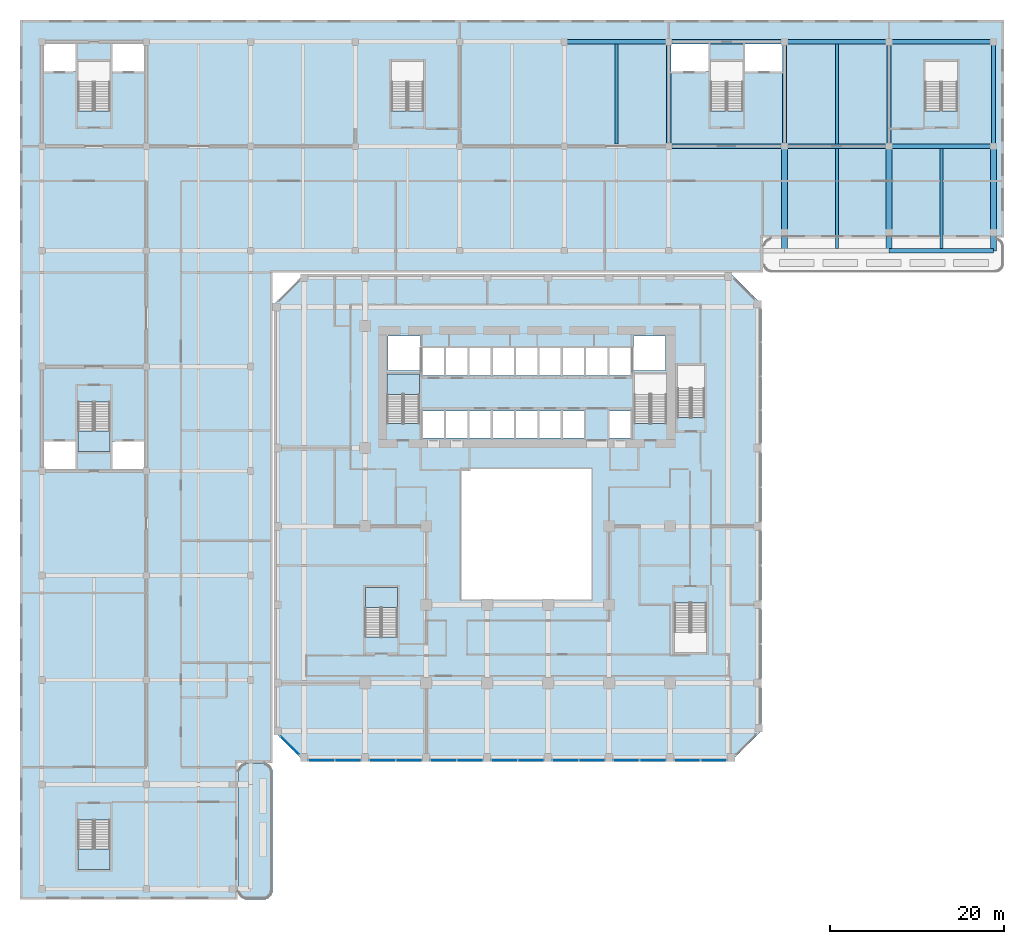
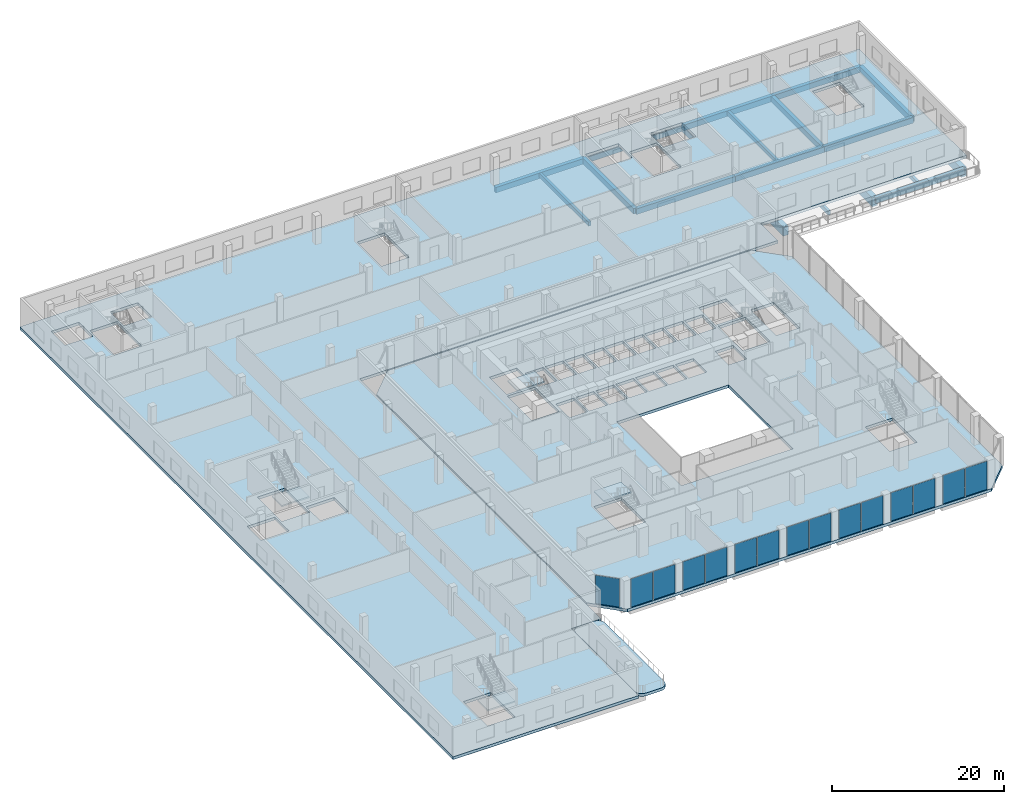
# One storey, part 11 of 35: 19 beams, 15 plates, 7 slabs, 19 elements without a shape of their own.
"""IFC4 building model written with IfcOpenShell, lengths in metres."""

import ifcopenshell
import ifcopenshell.guid

model = None  # the IFC model being written
_history = None  # IfcOwnerHistory: only IFC2X3 demands one
_inside = {}  # id of a spatial element -> (the spatial element, [elements in it])
_under = {}  # id of a project, library or spatial element -> (it, [spatial elements below it])
_declared = {}  # id of a project -> (the project, [libraries it declares])
_typed = {}  # id of a type object -> (the type object, [elements of that type])
_made_of = {}  # id of a material, layer set ... -> (it, [elements and type objects made of it])


def new_model(schema):
    """Start an empty IFC model of exactly this schema.

    Asked for "IFC4X3", IfcOpenShell would pick the latest addendum, in which some entities
    have other attributes; the version numbers below select the first issue.
    IFC2X3 requires an IfcOwnerHistory on every rooted entity: one is made here for all.
    """
    global model, _history
    if schema == "IFC4X3":
        model = ifcopenshell.file(schema_version=(4, 3, 0, 0))
    else:
        model = ifcopenshell.file(schema=schema)
    _inside.clear()
    _under.clear()
    _declared.clear()
    _typed.clear()
    _made_of.clear()
    _history = None
    if model.schema == "IFC2X3":
        org = make("IfcOrganization", Name="unknown")
        user = make(
            "IfcPersonAndOrganization",
            ThePerson=make("IfcPerson", FamilyName="unknown"),
            TheOrganization=org,
        )
        app = make(
            "IfcApplication",
            ApplicationDeveloper=org,
            Version="unknown",
            ApplicationFullName="unknown",
            ApplicationIdentifier="unknown",
        )
        _history = make(
            "IfcOwnerHistory",
            OwningUser=user,
            OwningApplication=app,
            ChangeAction="ADDED",
            CreationDate=0,
        )
    return model


def make(cls, **values):
    """One entity of the class cls with the attributes given. An attribute that is None is left unset."""
    return model.create_entity(
        cls, **{name: value for name, value in values.items() if value is not None}
    )


def rooted(cls, **values):
    """An entity with a GlobalId (a new one), such as an element, a storey or a relation."""
    return make(cls, GlobalId=ifcopenshell.guid.new(), OwnerHistory=_history, **values)


def si_unit(unit_type, name, prefix=None):
    """IfcSIUnit, for example si_unit("LENGTHUNIT", "METRE", prefix="MILLI")."""
    return make("IfcSIUnit", UnitType=unit_type, Prefix=prefix, Name=name)


def assignment(units):
    """IfcUnitAssignment: the units of a project."""
    return None if units is None else make("IfcUnitAssignment", Units=units)


def point(xyz):
    """IfcCartesianPoint."""
    return None if xyz is None else make("IfcCartesianPoint", Coordinates=xyz)


def direction(xyz):
    """IfcDirection."""
    return None if xyz is None else make("IfcDirection", DirectionRatios=xyz)


def frame(location, z_axis=None, x_axis=None):
    """IfcAxis2Placement3D, a coordinate frame: its origin and axes. An axis left out is left unset."""
    return make(
        "IfcAxis2Placement3D",
        Location=point(location),
        Axis=direction(z_axis),
        RefDirection=direction(x_axis),
    )


def frame_2d(location, x_axis=None):
    """IfcAxis2Placement2D, a coordinate frame in the plane: its origin and x axis."""
    return make(
        "IfcAxis2Placement2D", Location=point(location), RefDirection=direction(x_axis)
    )


def origin():
    """The frame at (0, 0, 0) with its axes left unset."""
    return frame((0.0, 0.0, 0.0))


def origin_2d():
    """The frame at (0, 0) in the plane with its x axis left unset."""
    return frame_2d((0.0, 0.0))


def place(relative_to, where):
    """IfcLocalPlacement: puts the frame where relative to a parent placement (None: the world)."""
    return make(
        "IfcLocalPlacement", PlacementRelTo=relative_to, RelativePlacement=where
    )


def context(
    kind, dimensions, precision=None, world=None, true_north=None, identifier=None
):
    """IfcGeometricRepresentationContext, for example the 3D "Model" context."""
    return make(
        "IfcGeometricRepresentationContext",
        ContextIdentifier=identifier,
        ContextType=kind,
        CoordinateSpaceDimension=dimensions,
        Precision=precision,
        WorldCoordinateSystem=world,
        TrueNorth=true_north,
    )


def subcontext(parent, identifier, kind, view, scale=None):
    """IfcGeometricRepresentationSubContext, for example "Body" below "Model"."""
    return make(
        "IfcGeometricRepresentationSubContext",
        ContextIdentifier=identifier,
        ContextType=kind,
        ParentContext=parent,
        TargetScale=scale,
        TargetView=view,
    )


def project(units=None, contexts=None):
    """IfcProject with its units and contexts."""
    return rooted(
        "IfcProject",
        Name="project",
        RepresentationContexts=contexts,
        UnitsInContext=assignment(units),
    )


def spatial(cls, under=None, at=None, **own):
    """A site, building, storey or space (cls), placed at a placement, below another one or the project."""
    s = rooted(cls, ObjectPlacement=at, **own)
    if under is not None:
        _under.setdefault(under.id(), (under, []))[1].append(s)
    return s


def polyline(points):
    """IfcPolyline through the points."""
    return make("IfcPolyline", Points=[point(p) for p in points])


def profile(cls, at=None, kind="AREA", **sizes):
    """A parametric profile (cls). Its sizes go by their IFC names, for example OverallWidth=200.0."""
    return make(cls, ProfileType=kind, Position=at, **sizes)


def rectangle(**sizes):
    """IfcRectangleProfileDef."""
    return profile("IfcRectangleProfileDef", **sizes)


def outline(outer, holes=None, kind="AREA"):
    """IfcArbitraryClosedProfileDef: a profile drawn as a closed curve; with holes, ...WithVoids."""
    if holes is None:
        return make("IfcArbitraryClosedProfileDef", ProfileType=kind, OuterCurve=outer)
    return make(
        "IfcArbitraryProfileDefWithVoids",
        ProfileType=kind,
        OuterCurve=outer,
        InnerCurves=holes,
    )


def extrude(swept, where, along, depth):
    """IfcExtrudedAreaSolid: the profile swept, set in the frame where, extruded along a direction by depth."""
    return make(
        "IfcExtrudedAreaSolid",
        SweptArea=swept,
        Position=where,
        ExtrudedDirection=direction(along),
        Depth=depth,
    )


def shape(context_of_items, identifier, shape_type, items):
    """IfcShapeRepresentation: the items that make up one representation, for example the "Body"."""
    return make(
        "IfcShapeRepresentation",
        ContextOfItems=context_of_items,
        RepresentationIdentifier=identifier,
        RepresentationType=shape_type,
        Items=items,
    )


def source(mapping_origin, context_of_items, identifier, shape_type, items):
    """IfcRepresentationMap: a shape defined once, which mapped items show again and again."""
    return make(
        "IfcRepresentationMap",
        MappingOrigin=mapping_origin,
        MappedRepresentation=shape(context_of_items, identifier, shape_type, items),
    )


def transform(
    local_origin,
    x_axis=None,
    y_axis=None,
    z_axis=None,
    scale=None,
    scale2=None,
    scale3=None,
    uniform=True,
):
    """IfcCartesianTransformationOperator3D, or its non-uniform kind. x_axis, y_axis, z_axis: its Axis1, 2, 3."""
    if uniform:
        return make(
            "IfcCartesianTransformationOperator3D",
            Axis1=direction(x_axis),
            Axis2=direction(y_axis),
            LocalOrigin=point(local_origin),
            Scale=scale,
            Axis3=direction(z_axis),
        )
    return make(
        "IfcCartesianTransformationOperator3DnonUniform",
        Axis1=direction(x_axis),
        Axis2=direction(y_axis),
        LocalOrigin=point(local_origin),
        Scale=scale,
        Axis3=direction(z_axis),
        Scale2=scale2,
        Scale3=scale3,
    )


def mapped(mapping_source, mapping_target):
    """IfcMappedItem: shows the shape of a source again, moved by a transform."""
    return make(
        "IfcMappedItem", MappingSource=mapping_source, MappingTarget=mapping_target
    )


def material(Name=None, Category=None):
    """IfcMaterial."""
    return make("IfcMaterial", Name=Name, Category=Category)


def layer(
    of_material, thickness, ventilated=None, Name=None, Category=None, Priority=None
):
    """IfcMaterialLayer: one layer of a wall or slab, of a material (None: an air gap)."""
    return make(
        "IfcMaterialLayer",
        Material=of_material,
        LayerThickness=thickness,
        IsVentilated=ventilated,
        Name=Name,
        Category=Category,
        Priority=Priority,
    )


def layer_set(layers, Name=None):
    """IfcMaterialLayerSet."""
    return make("IfcMaterialLayerSet", MaterialLayers=layers, LayerSetName=Name)


def material_profile(
    of_material, cross_section, Name=None, Category=None, Priority=None
):
    """IfcMaterialProfile: a cross section and its material."""
    return make(
        "IfcMaterialProfile",
        Name=Name,
        Material=of_material,
        Profile=cross_section,
        Priority=Priority,
        Category=Category,
    )


def profile_set(profiles, Name=None, composite=None):
    """IfcMaterialProfileSet."""
    return make(
        "IfcMaterialProfileSet",
        Name=Name,
        MaterialProfiles=profiles,
        CompositeProfile=composite,
    )


def made_of(thing, what):
    """Note that an element or type object is made of a material, layer set ...; save() writes the relation."""
    if what is not None:
        _made_of.setdefault(what.id(), (what, []))[1].append(thing)
    return thing


def type_object(cls, material=None, **own):
    """A type object (cls), such as IfcWallType, which elements share."""
    return made_of(rooted(cls, **own), material)


def element(
    cls,
    number,
    at=None,
    inside=None,
    cuts=None,
    type_object=None,
    material=None,
    context=None,
    identifier="Body",
    shape_type=None,
    held_by="IfcProductDefinitionShape",
    body=None,
    shapes=None,
    **own,
):
    """One element of the class cls, such as IfcWall. Its Tag is "e" and its number.

    at: its placement. inside: the storey or other place that contains it. cuts: it is an
    opening in that element (IfcRelVoidsElement). A single representation is given by context,
    identifier, shape_type and body (its items); several are given by shapes. held_by: the class
    of the entity that holds the representations. save() writes the other relations.
    """
    e = rooted(cls, Tag="e%d" % number, ObjectPlacement=at, **own)
    if body is not None:
        shapes = [shape(context, identifier, shape_type, body)]
    if shapes is not None:
        e.Representation = make(held_by, Representations=shapes)
    if inside is not None:
        _inside.setdefault(inside.id(), (inside, []))[1].append(e)
    if cuts is not None:
        rooted(
            "IfcRelVoidsElement", RelatingBuildingElement=cuts, RelatedOpeningElement=e
        )
    if type_object is not None:
        _typed.setdefault(type_object.id(), (type_object, []))[1].append(e)
    return made_of(e, material)


def aggregate(whole, parts):
    """IfcRelAggregates: a whole, such as a stair, and the parts it consists of."""
    return rooted("IfcRelAggregates", RelatingObject=whole, RelatedObjects=parts)


def save(model, path):
    """Write the relations noted so far, then the file.

    IfcRelAggregates (storeys below a building ...), IfcRelContainedInSpatialStructure (elements
    in a storey), IfcRelDefinesByType, IfcRelAssociatesMaterial and IfcRelDeclares: one each for
    every whole, place, type object, material and project.
    """
    for whole, parts in _under.values():
        aggregate(whole, parts)
    for where, things in _inside.values():
        rooted(
            "IfcRelContainedInSpatialStructure",
            RelatedElements=things,
            RelatingStructure=where,
        )
    for kind, things in _typed.values():
        rooted("IfcRelDefinesByType", RelatedObjects=things, RelatingType=kind)
    for what, things in _made_of.values():
        rooted("IfcRelAssociatesMaterial", RelatedObjects=things, RelatingMaterial=what)
    for by, libraries in _declared.values():
        rooted("IfcRelDeclares", RelatingContext=by, RelatedDefinitions=libraries)
    model.write(path)


model = new_model("IFC4")

# Units and contexts
model_context = context("Model", 3, precision=1e-05, world=origin(), true_north=direction((0.0, 1.0)))
body_context = subcontext(model_context, "Body", "Model", "MODEL_VIEW")
ifc_project = project(units=[si_unit("LENGTHUNIT", "METRE"), si_unit("AREAUNIT", "SQUARE_METRE"), si_unit("VOLUMEUNIT", "CUBIC_METRE"), si_unit("PLANEANGLEUNIT", "RADIAN"), si_unit("MASSUNIT", "GRAM", prefix="KILO")], contexts=[model_context])

# Site, building, storey
site_placement = place(None, origin())
site = spatial("IfcSite", under=ifc_project, at=site_placement, CompositionType="ELEMENT")
building_placement = place(site_placement, origin())
building = spatial("IfcBuilding", under=site, at=building_placement, Name="Kilnfold Tower and Market Hall", CompositionType="ELEMENT")
storey_placement = place(building_placement, frame((0.0, 0.0, 13.5)))
storey = spatial("IfcBuildingStorey", under=building, at=storey_placement, Name="L02", CompositionType="ELEMENT", Elevation=13.5)

# Beams
ifc_material_1 = material(Name="Concrete C40/50", Category="concrete")
ifc_material_profile_1 = material_profile(ifc_material_1, rectangle(XDim=0.5, YDim=0.800048828125, at=origin_2d()), Name="RC 500x800")
ifc_profile_set_1 = profile_set([ifc_material_profile_1], Name="Concrete C40/50")
beam_type_1 = type_object("IfcBeamType", Name="HALL GIRDER 500X800", PredefinedType="BEAM", material=ifc_profile_set_1)
for number, where, z_axis, x_axis, name in (
    (1, (5.35009765625, 54.64990234375, -0.800048828125), (1.0, 0.0, 0.0), (0.0, 1.0, 0.0), "Beam MG2.58"),
    (2, (17.35009765625, 42.64990234375, -0.800048828125), (0.0, 1.0, 0.0), (-1.0, 0.0, 0.0), "Beam MG2.61"),
):
    element("IfcBeam", number, at=place(storey_placement, frame(where, z_axis=z_axis, x_axis=x_axis)), inside=storey, type_object=beam_type_1, Name=name, PredefinedType="BEAM", context=body_context, shape_type="SweptSolid", body=[
        extrude(rectangle(XDim=0.5, YDim=0.800048828125, at=origin_2d()), origin(), (0.0, 0.0, 1.0), 12.0),
    ])
for number, where, z_axis, x_axis, name in (
    (3, (17.35009765625, 42.64990234375, -0.800048828125), (1.0, 0.0, 0.0), (0.0, 1.0, 0.0), "Beam MG2.62"),
    (4, (17.35009765625, 54.64990234375, -0.800048828125), (1.0, 0.0, 0.0), (0.0, 1.0, 0.0), "Beam MG2.63"),
):
    element("IfcBeam", number, at=place(storey_placement, frame(where, z_axis=z_axis, x_axis=x_axis)), inside=storey, type_object=beam_type_1, Name=name, PredefinedType="BEAM", context=body_context, shape_type="SweptSolid", body=[
        extrude(rectangle(XDim=0.5, YDim=0.800048828125, at=origin_2d()), origin(), (0.0, 0.0, 1.0), 13.2998046875),
    ])
for number, where, z_axis, x_axis, name in (
    (5, (30.64990234375, 42.64990234375, -0.800048828125), (0.0, 1.0, 0.0), (-1.0, 0.0, 0.0), "Beam MG2.65"),
    (6, (30.64990234375, 42.64990234375, -0.800048828125), (1.0, 0.0, 0.0), (0.0, 1.0, 0.0), "Beam MG2.66"),
    (7, (30.64990234375, 54.64990234375, -0.800048828125), (1.0, 0.0, 0.0), (0.0, 1.0, 0.0), "Beam MG2.67"),
    (8, (42.64990234375, 30.64990234375, -0.800048828125), (1.0, 0.0, 0.0), (0.0, 1.0, 0.0), "Beam MG2.68"),
    (9, (42.64990234375, 42.64990234375, -0.800048828125), (0.0, 1.0, 0.0), (-1.0, 0.0, 0.0), "Beam MG2.69"),
    (10, (42.64990234375, 42.64990234375, -0.800048828125), (1.0, 0.0, 0.0), (0.0, 1.0, 0.0), "Beam MG2.70"),
    (11, (42.64990234375, 54.64990234375, -0.800048828125), (1.0, 0.0, 0.0), (0.0, 1.0, 0.0), "Beam MG2.71"),
    (12, (54.64990234375, 42.64990234375, -0.800048828125), (0.0, 1.0, 0.0), (-1.0, 0.0, 0.0), "Beam MG2.72"),
):
    element("IfcBeam", number, at=place(storey_placement, frame(where, z_axis=z_axis, x_axis=x_axis)), inside=storey, type_object=beam_type_1, Name=name, PredefinedType="BEAM", context=body_context, shape_type="SweptSolid", body=[
        extrude(rectangle(XDim=0.5, YDim=0.800048828125, at=origin_2d()), origin(), (0.0, 0.0, 1.0), 12.0),
    ])
ifc_material_2 = material(Name="Concrete C40/50", Category="concrete")
ifc_material_profile_2 = material_profile(ifc_material_2, rectangle(XDim=0.35009765625, YDim=0.60009765625, at=origin_2d()), Name="RC 350x600")
ifc_profile_set_2 = profile_set([ifc_material_profile_2], Name="Concrete C40/50")
beam_type_2 = type_object("IfcBeamType", Name="HALL JOIST 350X600", PredefinedType="BEAM", material=ifc_profile_set_2)
for number, where, z_axis, x_axis, name in (
    (13, (11.35009765625, 42.89990234375, -0.699951171875), (0.0, 1.0, 0.0), (-1.0, 0.0, 0.0), "Beam MJ1.17"),
    (14, (36.64990234375, 30.89990234375, -0.699951171875), (0.0, 1.0, 0.0), (-1.0, 0.0, 0.0), "Beam MJ1.18"),
    (15, (36.64990234375, 42.89990234375, -0.699951171875), (0.0, 1.0, 0.0), (-1.0, 0.0, 0.0), "Beam MJ1.19"),
    (16, (48.64990234375, 30.89990234375, -0.699951171875), (0.0, 1.0, 0.0), (-1.0, 0.0, 0.0), "Beam MJ1.20"),
):
    element("IfcBeam", number, at=place(storey_placement, frame(where, z_axis=z_axis, x_axis=x_axis)), inside=storey, type_object=beam_type_2, Name=name, PredefinedType="BEAM", context=body_context, shape_type="SweptSolid", body=[
        extrude(rectangle(XDim=0.35009765625, YDim=0.60009765625, at=origin_2d()), origin(), (0.0, 0.0, 1.0), 11.5),
    ])
ifc_material_3 = material(Name="Concrete C45/55", Category="concrete")
ifc_material_profile_3 = material_profile(ifc_material_3, rectangle(XDim=0.699951171875, YDim=1.300048828125, at=origin_2d()), Name="RC 700x1300")
ifc_profile_set_3 = profile_set([ifc_material_profile_3], Name="Concrete C45/55")
beam_type_3 = type_object("IfcBeamType", Name="HALL TRANSFER 700X1300", PredefinedType="BEAM", material=ifc_profile_set_3)
for number, where, z_axis, x_axis, name in (
    (17, (30.64990234375, 30.64990234375, -1.050048828125), (0.0, 1.0, 0.0), (-1.0, 0.0, 0.0), "Beam MT1.3"),
    (18, (42.64990234375, 30.64990234375, -1.050048828125), (0.0, 1.0, 0.0), (-1.0, 0.0, 0.0), "Beam MT1.4"),
    (19, (54.64990234375, 30.64990234375, -1.050048828125), (0.0, 1.0, 0.0), (-1.0, 0.0, 0.0), "Beam MT1.5"),
):
    element("IfcBeam", number, at=place(storey_placement, frame(where, z_axis=z_axis, x_axis=x_axis)), inside=storey, type_object=beam_type_3, Name=name, PredefinedType="BEAM", context=body_context, shape_type="SweptSolid", body=[
        extrude(rectangle(XDim=0.699951171875, YDim=1.300048828125, at=origin_2d()), origin(), (0.0, 0.0, 1.0), 12.0),
    ])

# Slabs
ifc_material_4 = material(Name="Concrete C45", Category="concrete")
ifc_layer_1 = layer(ifc_material_4, 0.39990234375)
ifc_layer_set_1 = layer_set([ifc_layer_1], Name="Concrete C45")
slab_type_1 = type_object("IfcSlabType", Name="FLOOR SLAB 400", PredefinedType="FLOOR", material=ifc_layer_set_1)
shared_shape_1 = source(origin(), body_context, "Body", "SweptSolid", [
    extrude(outline(polyline([(-24.5, -28.0), (24.5, -28.0), (28.0, -24.5), (28.0, 24.5), (24.5, 28.0), (-24.5, 28.0), (-28.0, 24.5), (-28.0, -24.5), (-24.5, -28.0)]), holes=[polyline([(-17.49951171875, -13.699462890625), (-17.49951171875, -8.00048828125), (-13.800537109375, -8.00048828125), (-13.800537109375, -13.699462890625), (-17.49951171875, -13.699462890625)]), polyline([(-14.99951171875, 10.800537109375), (-14.99951171875, 16.49951171875), (-11.300537109375, 16.49951171875), (-11.300537109375, 10.800537109375), (-14.99951171875, 10.800537109375)]), polyline([(-14.875, 16.875), (-14.875, 20.875), (-11.175048828125, 20.875), (-11.175048828125, 16.875), (-14.875, 16.875)]), polyline([(-10.885009765625, 9.125), (-10.885009765625, 12.27490234375), (-8.455078125, 12.27490234375), (-8.455078125, 9.125), (-10.885009765625, 9.125)]), polyline([(-10.885009765625, 16.324951171875), (-10.885009765625, 19.47509765625), (-8.455078125, 19.47509765625), (-8.455078125, 16.324951171875), (-10.885009765625, 16.324951171875)]), polyline([(-8.205078125, 9.125), (-8.205078125, 12.27490234375), (-5.77490234375, 12.27490234375), (-5.77490234375, 9.125), (-8.205078125, 9.125)]), polyline([(-8.205078125, 16.324951171875), (-8.205078125, 19.47509765625), (-5.77490234375, 19.47509765625), (-5.77490234375, 16.324951171875), (-8.205078125, 16.324951171875)]), polyline([(-6.5, -9.39990234375), (-6.5, 5.60009765625), (8.5, 5.60009765625), (8.5, -9.39990234375), (-6.5, -9.39990234375)]), polyline([(-5.52490234375, 9.125), (-5.52490234375, 12.27490234375), (-3.094970703125, 12.27490234375), (-3.094970703125, 9.125), (-5.52490234375, 9.125)]), polyline([(-5.52490234375, 16.324951171875), (-5.52490234375, 19.47509765625), (-3.094970703125, 19.47509765625), (-3.094970703125, 16.324951171875), (-5.52490234375, 16.324951171875)]), polyline([(-2.844970703125, 9.125), (-2.844970703125, 12.27490234375), (-0.4150390625, 12.27490234375), (-0.4150390625, 9.125), (-2.844970703125, 9.125)]), polyline([(-2.844970703125, 16.324951171875), (-2.844970703125, 19.47509765625), (-0.4150390625, 19.47509765625), (-0.4150390625, 16.324951171875), (-2.844970703125, 16.324951171875)]), polyline([(-0.1650390625, 9.125), (-0.1650390625, 12.27490234375), (2.264892578125, 12.27490234375), (2.264892578125, 9.125), (-0.1650390625, 9.125)]), polyline([(-0.1650390625, 16.324951171875), (-0.1650390625, 19.47509765625), (2.264892578125, 19.47509765625), (2.264892578125, 16.324951171875), (-0.1650390625, 16.324951171875)]), polyline([(2.514892578125, 9.125), (2.514892578125, 12.27490234375), (4.945068359375, 12.27490234375), (4.945068359375, 9.125), (2.514892578125, 9.125)]), polyline([(2.514892578125, 16.324951171875), (2.514892578125, 19.47509765625), (4.945068359375, 19.47509765625), (4.945068359375, 16.324951171875), (2.514892578125, 16.324951171875)]), polyline([(5.195068359375, 9.125), (5.195068359375, 12.27490234375), (7.625, 12.27490234375), (7.625, 9.125), (5.195068359375, 9.125)]), polyline([(5.195068359375, 16.324951171875), (5.195068359375, 19.47509765625), (7.625, 19.47509765625), (7.625, 16.324951171875), (5.195068359375, 16.324951171875)]), polyline([(7.875, 16.324951171875), (7.875, 19.47509765625), (10.304931640625, 19.47509765625), (10.304931640625, 16.324951171875), (7.875, 16.324951171875)]), polyline([(10.554931640625, 9.125), (10.554931640625, 12.27490234375), (12.985107421875, 12.27490234375), (12.985107421875, 9.125), (10.554931640625, 9.125)]), polyline([(10.554931640625, 16.324951171875), (10.554931640625, 19.47509765625), (12.985107421875, 19.47509765625), (12.985107421875, 16.324951171875), (10.554931640625, 16.324951171875)]), polyline([(13.27490234375, 16.875), (13.27490234375, 20.875), (16.97509765625, 20.875), (16.97509765625, 16.875), (13.27490234375, 16.875)]), polyline([(13.400390625, 10.800537109375), (13.400390625, 16.49951171875), (17.099609375, 16.49951171875), (17.099609375, 10.800537109375), (13.400390625, 10.800537109375)]), polyline([(21.699462890625, -9.800537109375), (21.699462890625, -15.49951171875), (18.00048828125, -15.49951171875), (18.00048828125, -9.800537109375), (21.699462890625, -9.800537109375)]), polyline([(18.3505859375, 11.50048828125), (18.3505859375, 17.49951171875), (21.449462890625, 17.49951171875), (21.449462890625, 11.50048828125), (18.3505859375, 11.50048828125)])]), origin(), (0.0, 0.0, 1.0), 0.400146484375),
])
slab_1_placement = place(storey_placement, frame((0.0, 0.0, -0.400146484375)))
element("IfcSlab", 20, at=slab_1_placement, inside=storey, type_object=slab_type_1, Name="Floor slab L02", PredefinedType="FLOOR", context=body_context, shape_type="MappedRepresentation", body=[
    mapped(shared_shape_1, transform((0.0, 0.0, 0.0))),
])
ifc_material_5 = material(Name="Concrete C40/50", Category="concrete")
ifc_layer_2 = layer(ifc_material_5, 0.39990234375)
ifc_layer_set_2 = layer_set([ifc_layer_2], Name="Concrete C40/50")
slab_type_2 = type_object("IfcSlabType", Name="HALL SLAB 400", PredefinedType="FLOOR", material=ifc_layer_set_2)
shared_shape_2 = source(origin(), body_context, "Body", "SweptSolid", [
    extrude(outline(polyline([(-57.14990234375, -43.85009765625), (-32.14990234375, -43.85009765625), (-32.14990234375, -28.14990234375), (-28.14990234375, -28.14990234375), (-28.14990234375, -24.56201171875), (-28.14990234375, 24.56201171875), (-28.14990234375, 28.14990234375), (-24.56201171875, 28.14990234375), (24.56201171875, 28.14990234375), (28.14990234375, 28.14990234375), (28.14990234375, 32.14990234375), (55.85009765625, 32.14990234375), (55.85009765625, 57.14990234375), (-28.14990234375, 57.14990234375), (-57.14990234375, 57.14990234375), (-57.14990234375, 28.14990234375), (-57.14990234375, -43.85009765625)]), holes=[polyline([(-50.5, -34.705078125), (-50.5, -40.39990234375), (-46.800048828125, -40.39990234375), (-46.800048828125, -34.705078125), (-50.5, -34.705078125)]), polyline([(-50.5, 13.294921875), (-50.5, 7.60009765625), (-46.800048828125, 7.60009765625), (-46.800048828125, 13.294921875), (-50.5, 13.294921875)]), polyline([(-46.800048828125, 46.705078125), (-46.800048828125, 52.39990234375), (-50.5, 52.39990234375), (-50.5, 46.705078125), (-46.800048828125, 46.705078125)]), polyline([(-10.800048828125, 46.705078125), (-10.800048828125, 52.39990234375), (-14.5, 52.39990234375), (-14.5, 46.705078125), (-10.800048828125, 46.705078125)]), polyline([(25.85009765625, 46.705078125), (25.85009765625, 52.39990234375), (22.14990234375, 52.39990234375), (22.14990234375, 46.705078125), (25.85009765625, 46.705078125)]), polyline([(50.5, 46.705078125), (50.5, 52.39990234375), (46.800048828125, 52.39990234375), (46.800048828125, 46.705078125), (50.5, 46.705078125)]), polyline([(-54.5, 5.5), (-50.75, 5.5), (-50.75, 8.75), (-54.5, 8.75), (-54.5, 5.5)]), polyline([(-46.550048828125, 5.5), (-42.800048828125, 5.5), (-42.800048828125, 8.75), (-46.550048828125, 8.75), (-46.550048828125, 5.5)]), polyline([(-42.800048828125, 54.5), (-46.550048828125, 54.5), (-46.550048828125, 51.25), (-42.800048828125, 51.25), (-42.800048828125, 54.5)]), polyline([(-50.75, 54.5), (-54.5, 54.5), (-54.5, 51.25), (-50.75, 51.25), (-50.75, 54.5)]), polyline([(30.5, 54.5), (26.10009765625, 54.5), (26.10009765625, 51.25), (30.5, 51.25), (30.5, 54.5)]), polyline([(21.89990234375, 54.5), (17.5, 54.5), (17.5, 51.25), (21.89990234375, 51.25), (21.89990234375, 54.5)])]), origin(), (0.0, 0.0, 1.0), 0.39990234375),
])
slab_2_placement = place(storey_placement, frame((0.0, 0.0, -0.39990234375)))
element("IfcSlab", 21, at=slab_2_placement, inside=storey, type_object=slab_type_2, Name="Floor slab L02", PredefinedType="FLOOR", context=body_context, shape_type="MappedRepresentation", body=[
    mapped(shared_shape_2, transform((0.0, 0.0, 0.0))),
])

# Curtain wall, plate
ifc_material_6 = material(Name="Aluminium and double glazing", Category="aluminium")
curtain_wall_type = type_object("IfcCurtainWallType", Name="CW BASE PODIUM GLAZING", PredefinedType="NOTDEFINED", material=ifc_material_6)
curtain_wall_1_placement = place(storey_placement, origin())
curtain_wall_1 = element("IfcCurtainWall", 22, at=curtain_wall_1_placement, inside=storey, type_object=curtain_wall_type, Name="Curtain wall CW4 L02 S", PredefinedType="NOTDEFINED")
ifc_material_7 = material(Name="Double glazed unit")
ifc_layer_3 = layer(ifc_material_7, 0.035888671875)
ifc_layer_set_3 = layer_set([ifc_layer_3], Name="Double glazed unit")
plate_type = type_object("IfcPlateType", Name="GLAZING PANEL 36", PredefinedType="CURTAIN_PANEL", material=ifc_layer_set_3)
shared_shape_3 = source(origin(), body_context, "Body", "SweptSolid", [
    extrude(rectangle(XDim=2.909912109375, YDim=0.035888671875, at=origin_2d()), origin(), (0.0, 0.0, 1.0), 4.030029296875),
])
plate_1_placement = place(storey_placement, frame((-22.52490234375, -27.85009765625, 0.0), z_axis=(0.0, 0.0, 1.0), x_axis=(1.0, 0.0, 0.0)))
plate_1 = element("IfcPlate", 23, at=plate_1_placement, type_object=plate_type, Name="CW4 panel 1.1", PredefinedType="CURTAIN_PANEL", context=body_context, shape_type="MappedRepresentation", body=[
    mapped(shared_shape_3, transform((0.0, 0.0, 0.0))),
])
aggregate(curtain_wall_1, [plate_1])

curtain_wall_2_placement = place(storey_placement, origin())
curtain_wall_2 = element("IfcCurtainWall", 24, at=curtain_wall_2_placement, inside=storey, type_object=curtain_wall_type, Name="Curtain wall CW4 L02 S", PredefinedType="NOTDEFINED")
plate_2_placement = place(storey_placement, frame((-19.47509765625, -27.85009765625, 0.0), z_axis=(0.0, 0.0, 1.0), x_axis=(1.0, 0.0, 0.0)))
plate_2 = element("IfcPlate", 25, at=plate_2_placement, type_object=plate_type, Name="CW4 panel 1.1", PredefinedType="CURTAIN_PANEL", context=body_context, shape_type="MappedRepresentation", body=[
    mapped(shared_shape_3, transform((0.0, 0.0, 0.0))),
])
aggregate(curtain_wall_2, [plate_2])

curtain_wall_3_placement = place(storey_placement, origin())
curtain_wall_3 = element("IfcCurtainWall", 26, at=curtain_wall_3_placement, inside=storey, type_object=curtain_wall_type, Name="Curtain wall CW4 L02 S", PredefinedType="NOTDEFINED")
plate_3_placement = place(storey_placement, frame((-15.52490234375, -27.85009765625, 0.0), z_axis=(0.0, 0.0, 1.0), x_axis=(1.0, 0.0, 0.0)))
plate_3 = element("IfcPlate", 27, at=plate_3_placement, type_object=plate_type, Name="CW4 panel 1.1", PredefinedType="CURTAIN_PANEL", context=body_context, shape_type="MappedRepresentation", body=[
    mapped(shared_shape_3, transform((0.0, 0.0, 0.0))),
])
aggregate(curtain_wall_3, [plate_3])

curtain_wall_4_placement = place(storey_placement, origin())
curtain_wall_4 = element("IfcCurtainWall", 28, at=curtain_wall_4_placement, inside=storey, type_object=curtain_wall_type, Name="Curtain wall CW4 L02 S", PredefinedType="NOTDEFINED")
plate_4_placement = place(storey_placement, frame((-12.47509765625, -27.85009765625, 0.0), z_axis=(0.0, 0.0, 1.0), x_axis=(1.0, 0.0, 0.0)))
plate_4 = element("IfcPlate", 29, at=plate_4_placement, type_object=plate_type, Name="CW4 panel 1.1", PredefinedType="CURTAIN_PANEL", context=body_context, shape_type="MappedRepresentation", body=[
    mapped(shared_shape_3, transform((0.0, 0.0, 0.0))),
])
aggregate(curtain_wall_4, [plate_4])

curtain_wall_5_placement = place(storey_placement, origin())
curtain_wall_5 = element("IfcCurtainWall", 30, at=curtain_wall_5_placement, inside=storey, type_object=curtain_wall_type, Name="Curtain wall CW4 L02 S", PredefinedType="NOTDEFINED")
plate_5_placement = place(storey_placement, frame((-8.52490234375, -27.85009765625, 0.0), z_axis=(0.0, 0.0, 1.0), x_axis=(1.0, 0.0, 0.0)))
plate_5 = element("IfcPlate", 31, at=plate_5_placement, type_object=plate_type, Name="CW4 panel 1.1", PredefinedType="CURTAIN_PANEL", context=body_context, shape_type="MappedRepresentation", body=[
    mapped(shared_shape_3, transform((0.0, 0.0, 0.0))),
])
aggregate(curtain_wall_5, [plate_5])

curtain_wall_6_placement = place(storey_placement, origin())
curtain_wall_6 = element("IfcCurtainWall", 32, at=curtain_wall_6_placement, inside=storey, type_object=curtain_wall_type, Name="Curtain wall CW4 L02 S", PredefinedType="NOTDEFINED")
plate_6_placement = place(storey_placement, frame((-5.47509765625, -27.85009765625, 0.0), z_axis=(0.0, 0.0, 1.0), x_axis=(1.0, 0.0, 0.0)))
plate_6 = element("IfcPlate", 33, at=plate_6_placement, type_object=plate_type, Name="CW4 panel 1.1", PredefinedType="CURTAIN_PANEL", context=body_context, shape_type="MappedRepresentation", body=[
    mapped(shared_shape_3, transform((0.0, 0.0, 0.0))),
])
aggregate(curtain_wall_6, [plate_6])

curtain_wall_7_placement = place(storey_placement, origin())
curtain_wall_7 = element("IfcCurtainWall", 34, at=curtain_wall_7_placement, inside=storey, type_object=curtain_wall_type, Name="Curtain wall CW4 L02 S", PredefinedType="NOTDEFINED")
plate_7_placement = place(storey_placement, frame((-1.52490234375, -27.85009765625, 0.0), z_axis=(0.0, 0.0, 1.0), x_axis=(1.0, 0.0, 0.0)))
plate_7 = element("IfcPlate", 35, at=plate_7_placement, type_object=plate_type, Name="CW4 panel 1.1", PredefinedType="CURTAIN_PANEL", context=body_context, shape_type="MappedRepresentation", body=[
    mapped(shared_shape_3, transform((0.0, 0.0, 0.0))),
])
aggregate(curtain_wall_7, [plate_7])

curtain_wall_8_placement = place(storey_placement, origin())
curtain_wall_8 = element("IfcCurtainWall", 36, at=curtain_wall_8_placement, inside=storey, type_object=curtain_wall_type, Name="Curtain wall CW4 L02 S", PredefinedType="NOTDEFINED")
plate_8_placement = place(storey_placement, frame((1.52490234375, -27.85009765625, 0.0), z_axis=(0.0, 0.0, 1.0), x_axis=(1.0, 0.0, 0.0)))
plate_8 = element("IfcPlate", 37, at=plate_8_placement, type_object=plate_type, Name="CW4 panel 1.1", PredefinedType="CURTAIN_PANEL", context=body_context, shape_type="MappedRepresentation", body=[
    mapped(shared_shape_3, transform((0.0, 0.0, 0.0))),
])
aggregate(curtain_wall_8, [plate_8])

curtain_wall_9_placement = place(storey_placement, origin())
curtain_wall_9 = element("IfcCurtainWall", 38, at=curtain_wall_9_placement, inside=storey, type_object=curtain_wall_type, Name="Curtain wall CW4 L02 S", PredefinedType="NOTDEFINED")
plate_9_placement = place(storey_placement, frame((5.47509765625, -27.85009765625, 0.0), z_axis=(0.0, 0.0, 1.0), x_axis=(1.0, 0.0, 0.0)))
plate_9 = element("IfcPlate", 39, at=plate_9_placement, type_object=plate_type, Name="CW4 panel 1.1", PredefinedType="CURTAIN_PANEL", context=body_context, shape_type="MappedRepresentation", body=[
    mapped(shared_shape_3, transform((0.0, 0.0, 0.0))),
])
aggregate(curtain_wall_9, [plate_9])

curtain_wall_10_placement = place(storey_placement, origin())
curtain_wall_10 = element("IfcCurtainWall", 40, at=curtain_wall_10_placement, inside=storey, type_object=curtain_wall_type, Name="Curtain wall CW4 L02 S", PredefinedType="NOTDEFINED")
plate_10_placement = place(storey_placement, frame((8.52490234375, -27.85009765625, 0.0), z_axis=(0.0, 0.0, 1.0), x_axis=(1.0, 0.0, 0.0)))
plate_10 = element("IfcPlate", 41, at=plate_10_placement, type_object=plate_type, Name="CW4 panel 1.1", PredefinedType="CURTAIN_PANEL", context=body_context, shape_type="MappedRepresentation", body=[
    mapped(shared_shape_3, transform((0.0, 0.0, 0.0))),
])
aggregate(curtain_wall_10, [plate_10])

curtain_wall_11_placement = place(storey_placement, origin())
curtain_wall_11 = element("IfcCurtainWall", 42, at=curtain_wall_11_placement, inside=storey, type_object=curtain_wall_type, Name="Curtain wall CW4 L02 S", PredefinedType="NOTDEFINED")
plate_11_placement = place(storey_placement, frame((12.47509765625, -27.85009765625, 0.0), z_axis=(0.0, 0.0, 1.0), x_axis=(1.0, 0.0, 0.0)))
plate_11 = element("IfcPlate", 43, at=plate_11_placement, type_object=plate_type, Name="CW4 panel 1.1", PredefinedType="CURTAIN_PANEL", context=body_context, shape_type="MappedRepresentation", body=[
    mapped(shared_shape_3, transform((0.0, 0.0, 0.0))),
])
aggregate(curtain_wall_11, [plate_11])

curtain_wall_12_placement = place(storey_placement, origin())
curtain_wall_12 = element("IfcCurtainWall", 44, at=curtain_wall_12_placement, inside=storey, type_object=curtain_wall_type, Name="Curtain wall CW4 L02 S", PredefinedType="NOTDEFINED")
plate_12_placement = place(storey_placement, frame((15.52490234375, -27.85009765625, 0.0), z_axis=(0.0, 0.0, 1.0), x_axis=(1.0, 0.0, 0.0)))
plate_12 = element("IfcPlate", 45, at=plate_12_placement, type_object=plate_type, Name="CW4 panel 1.1", PredefinedType="CURTAIN_PANEL", context=body_context, shape_type="MappedRepresentation", body=[
    mapped(shared_shape_3, transform((0.0, 0.0, 0.0))),
])
aggregate(curtain_wall_12, [plate_12])

curtain_wall_13_placement = place(storey_placement, origin())
curtain_wall_13 = element("IfcCurtainWall", 46, at=curtain_wall_13_placement, inside=storey, type_object=curtain_wall_type, Name="Curtain wall CW4 L02 S", PredefinedType="NOTDEFINED")
plate_13_placement = place(storey_placement, frame((19.47509765625, -27.85009765625, 0.0), z_axis=(0.0, 0.0, 1.0), x_axis=(1.0, 0.0, 0.0)))
plate_13 = element("IfcPlate", 47, at=plate_13_placement, type_object=plate_type, Name="CW4 panel 1.1", PredefinedType="CURTAIN_PANEL", context=body_context, shape_type="MappedRepresentation", body=[
    mapped(shared_shape_3, transform((0.0, 0.0, 0.0))),
])
aggregate(curtain_wall_13, [plate_13])

curtain_wall_14_placement = place(storey_placement, origin())
curtain_wall_14 = element("IfcCurtainWall", 48, at=curtain_wall_14_placement, inside=storey, type_object=curtain_wall_type, Name="Curtain wall CW4 L02 S", PredefinedType="NOTDEFINED")
plate_14_placement = place(storey_placement, frame((22.52490234375, -27.85009765625, 0.0), z_axis=(0.0, 0.0, 1.0), x_axis=(1.0, 0.0, 0.0)))
plate_14 = element("IfcPlate", 49, at=plate_14_placement, type_object=plate_type, Name="CW4 panel 1.1", PredefinedType="CURTAIN_PANEL", context=body_context, shape_type="MappedRepresentation", body=[
    mapped(shared_shape_3, transform((0.0, 0.0, 0.0))),
])
aggregate(curtain_wall_14, [plate_14])

curtain_wall_15_placement = place(storey_placement, origin())
curtain_wall_15 = element("IfcCurtainWall", 50, at=curtain_wall_15_placement, inside=storey, type_object=curtain_wall_type, Name="Curtain wall CW4 L02 SW", PredefinedType="NOTDEFINED")
shared_shape_4 = source(origin(), body_context, "Body", "SweptSolid", [
    extrude(rectangle(XDim=2.900634765625, YDim=0.035888671875, at=origin_2d()), origin(), (0.0, 0.0, 1.0), 4.030029296875),
])
plate_15_placement = place(storey_placement, frame((-26.143798828125, -26.14404296875, 0.0), z_axis=(0.0, 0.0, 1.0), x_axis=(0.707090337034, -0.707123224957, 0.0)))
plate_15 = element("IfcPlate", 51, at=plate_15_placement, type_object=plate_type, Name="CW4 panel 1.1", PredefinedType="CURTAIN_PANEL", context=body_context, shape_type="MappedRepresentation", body=[
    mapped(shared_shape_4, transform((0.0, 0.0, 0.0))),
])
aggregate(curtain_wall_15, [plate_15])

# Slab
ifc_material_8 = material(Name="Concrete C40/50", Category="concrete")
ifc_layer_4 = layer(ifc_material_8, 0.39990234375)
ifc_layer_set_4 = layer_set([ifc_layer_4], Name="Concrete C40/50")
slab_type_3 = type_object("IfcSlabType", Name="TERRACE SLAB 400", PredefinedType="ROOF", material=ifc_layer_set_4)
shared_shape_5 = source(origin(), body_context, "Body", "SweptSolid", [
    extrude(outline(polyline([(-28.14990234375, -42.85009765625), (-28.15478515625, -42.947998046875), (-28.169189453125, -43.045166015625), (-28.193115234375, -43.140380859375), (-28.22607421875, -43.232666015625), (-28.26806640625, -43.3212890625), (-28.318603515625, -43.405517578125), (-28.376953125, -43.484375), (-28.44287109375, -43.55712890625), (-28.515625, -43.623046875), (-28.594482421875, -43.681396484375), (-28.6787109375, -43.73193359375), (-28.767333984375, -43.77392578125), (-28.859619140625, -43.806884765625), (-28.954833984375, -43.830810546875), (-29.052001953125, -43.84521484375), (-29.14990234375, -43.85009765625), (-31.139892578125, -43.85009765625), (-31.238037109375, -43.84521484375), (-31.335205078125, -43.830810546875), (-31.430419921875, -43.806884765625), (-31.522705078125, -43.77392578125), (-31.611328125, -43.73193359375), (-31.695556640625, -43.681396484375), (-31.7744140625, -43.623046875), (-31.84716796875, -43.55712890625), (-31.9130859375, -43.484375), (-31.971435546875, -43.405517578125), (-32.02197265625, -43.3212890625), (-32.06396484375, -43.232666015625), (-32.096923828125, -43.140380859375), (-32.120849609375, -43.045166015625), (-32.13525390625, -42.947998046875), (-32.139892578125, -42.85009765625), (-32.139892578125, -29.159912109375), (-32.13525390625, -29.06201171875), (-32.120849609375, -28.96484375), (-32.096923828125, -28.86962890625), (-32.06396484375, -28.77734375), (-32.02197265625, -28.688720703125), (-31.971435546875, -28.6044921875), (-31.9130859375, -28.525634765625), (-31.84716796875, -28.452880859375), (-31.7744140625, -28.386962890625), (-31.695556640625, -28.32861328125), (-31.611328125, -28.278076171875), (-31.522705078125, -28.236083984375), (-31.430419921875, -28.203125), (-31.335205078125, -28.17919921875), (-31.238037109375, -28.164794921875), (-31.139892578125, -28.159912109375), (-29.14990234375, -28.159912109375), (-29.052001953125, -28.164794921875), (-28.954833984375, -28.17919921875), (-28.859619140625, -28.203125), (-28.767333984375, -28.236083984375), (-28.6787109375, -28.278076171875), (-28.594482421875, -28.32861328125), (-28.515625, -28.386962890625), (-28.44287109375, -28.452880859375), (-28.376953125, -28.525634765625), (-28.318603515625, -28.6044921875), (-28.26806640625, -28.688720703125), (-28.22607421875, -28.77734375), (-28.193115234375, -28.86962890625), (-28.169189453125, -28.96484375), (-28.15478515625, -29.06201171875), (-28.14990234375, -29.159912109375), (-28.14990234375, -42.85009765625)])), origin(), (0.0, 0.0, 1.0), 0.39990234375),
])
slab_3_placement = place(storey_placement, frame((0.0, 0.0, -0.39990234375)))
element("IfcSlab", 52, at=slab_3_placement, inside=storey, type_object=slab_type_3, Name="Terrace slab L02", PredefinedType="ROOF", context=body_context, shape_type="MappedRepresentation", body=[
    mapped(shared_shape_5, transform((0.0, 0.0, 0.0))),
])

# Stair, slab
ifc_material_9 = material(Name="Concrete C40/50", Category="concrete")
stair_type_1 = type_object("IfcStairType", Name="CORE STAIR 1800", PredefinedType="HALF_TURN_STAIR", material=ifc_material_9)
stair_1_placement = place(storey_placement, origin())
stair_1 = element("IfcStair", 53, at=stair_1_placement, inside=storey, type_object=stair_type_1, Name="L02 ST1", PredefinedType="HALF_TURN_STAIR")
ifc_material_10 = material(Name="Concrete C40/50", Category="concrete")
ifc_layer_5 = layer(ifc_material_10, 0.199951171875)
ifc_layer_set_5 = layer_set([ifc_layer_5], Name="Concrete C40/50")
slab_type_4 = type_object("IfcSlabType", Name="CORE STAIR LANDING 200", PredefinedType="LANDING", material=ifc_layer_set_5)
shared_shape_6 = source(origin(), body_context, "Body", "SweptSolid", [
    extrude(outline(polyline([(-11.300048828125, 14.159912109375), (-11.300048828125, 16.5), (-15.0, 16.5), (-15.0, 14.159912109375), (-11.300048828125, 14.159912109375)])), origin(), (0.0, 0.0, 1.0), 0.199951171875),
])
slab_4_placement = place(storey_placement, frame((0.0, 0.0, 2.050048828125)))
slab_4 = element("IfcSlab", 54, at=slab_4_placement, type_object=slab_type_4, Name="ST1 landing 1", PredefinedType="LANDING", context=body_context, shape_type="MappedRepresentation", body=[
    mapped(shared_shape_6, transform((0.0, 0.0, 0.0))),
])
aggregate(stair_1, [slab_4])

stair_2_placement = place(storey_placement, origin())
stair_2 = element("IfcStair", 55, at=stair_2_placement, inside=storey, type_object=stair_type_1, Name="L02 ST3", PredefinedType="HALF_TURN_STAIR")
shared_shape_7 = source(origin(), body_context, "Body", "SweptSolid", [
    extrude(outline(polyline([(-13.800048828125, -10.340087890625), (-13.800048828125, -8.0), (-17.5, -8.0), (-17.5, -10.340087890625), (-13.800048828125, -10.340087890625)])), origin(), (0.0, 0.0, 1.0), 0.199951171875),
])
slab_5_placement = place(storey_placement, frame((0.0, 0.0, 2.050048828125)))
slab_5 = element("IfcSlab", 56, at=slab_5_placement, type_object=slab_type_4, Name="ST3 landing 1", PredefinedType="LANDING", context=body_context, shape_type="MappedRepresentation", body=[
    mapped(shared_shape_7, transform((0.0, 0.0, 0.0))),
])
aggregate(stair_2, [slab_5])

ifc_material_11 = material(Name="Concrete C40/50", Category="concrete")
stair_type_2 = type_object("IfcStairType", Name="HALL STAIR", PredefinedType="HALF_TURN_STAIR", material=ifc_material_11)
stair_3_placement = place(storey_placement, origin())
stair_3 = element("IfcStair", 57, at=stair_3_placement, inside=storey, type_object=stair_type_2, Name="L02 MS1", PredefinedType="HALF_TURN_STAIR")
ifc_material_12 = material(Name="Concrete C40/50", Category="concrete")
ifc_layer_6 = layer(ifc_material_12, 0.199951171875)
ifc_layer_set_6 = layer_set([ifc_layer_6], Name="Concrete C40/50")
slab_type_5 = type_object("IfcSlabType", Name="HALL STAIR LANDING", PredefinedType="LANDING", material=ifc_layer_set_6)
shared_shape_8 = source(origin(), body_context, "Body", "SweptSolid", [
    extrude(outline(polyline([(-50.5, -38.06005859375), (-50.5, -40.39990234375), (-46.800048828125, -40.39990234375), (-46.800048828125, -38.06005859375), (-50.5, -38.06005859375)])), origin(), (0.0, 0.0, 1.0), 0.199951171875),
])
slab_6_placement = place(storey_placement, frame((0.0, 0.0, 2.050048828125)))
slab_6 = element("IfcSlab", 58, at=slab_6_placement, type_object=slab_type_5, Name="MS1 landing 1", PredefinedType="LANDING", context=body_context, shape_type="MappedRepresentation", body=[
    mapped(shared_shape_8, transform((0.0, 0.0, 0.0))),
])
aggregate(stair_3, [slab_6])

stair_4_placement = place(storey_placement, origin())
stair_4 = element("IfcStair", 59, at=stair_4_placement, inside=storey, type_object=stair_type_2, Name="L02 MS2", PredefinedType="HALF_TURN_STAIR")
shared_shape_9 = source(origin(), body_context, "Body", "SweptSolid", [
    extrude(outline(polyline([(-50.5, 9.93994140625), (-50.5, 7.60009765625), (-46.800048828125, 7.60009765625), (-46.800048828125, 9.93994140625), (-50.5, 9.93994140625)])), origin(), (0.0, 0.0, 1.0), 0.199951171875),
])
slab_7_placement = place(storey_placement, frame((0.0, 0.0, 2.050048828125)))
slab_7 = element("IfcSlab", 60, at=slab_7_placement, type_object=slab_type_5, Name="MS2 landing 1", PredefinedType="LANDING", context=body_context, shape_type="MappedRepresentation", body=[
    mapped(shared_shape_9, transform((0.0, 0.0, 0.0))),
])
aggregate(stair_4, [slab_7])

save(model, "model.ifc")
